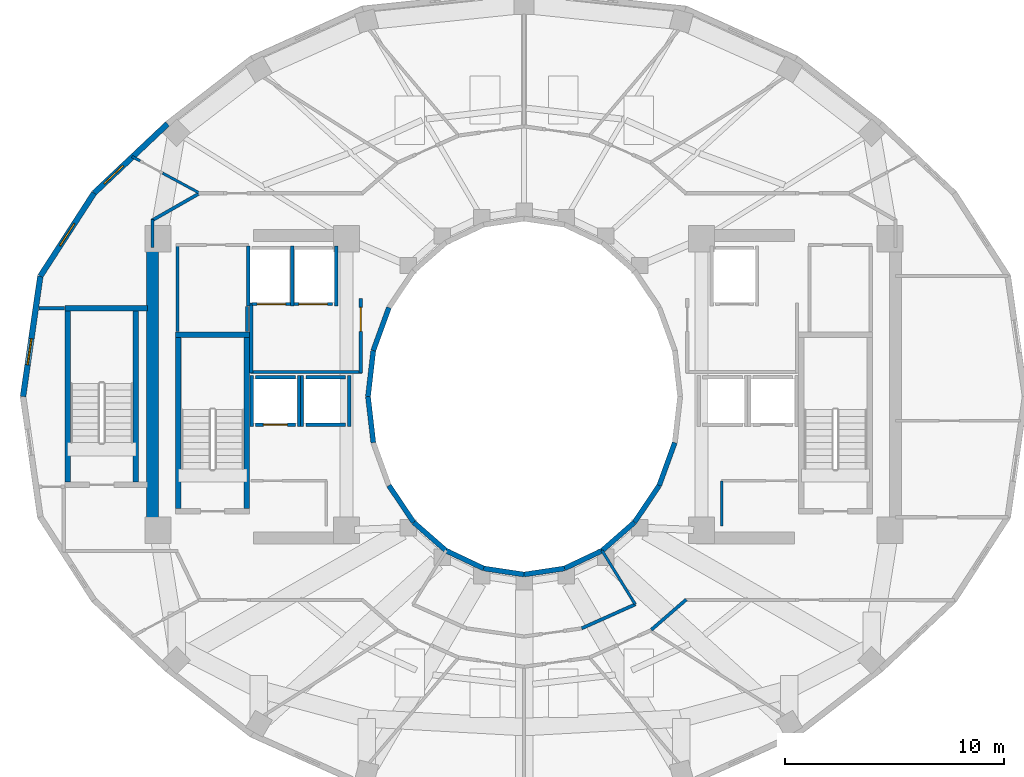
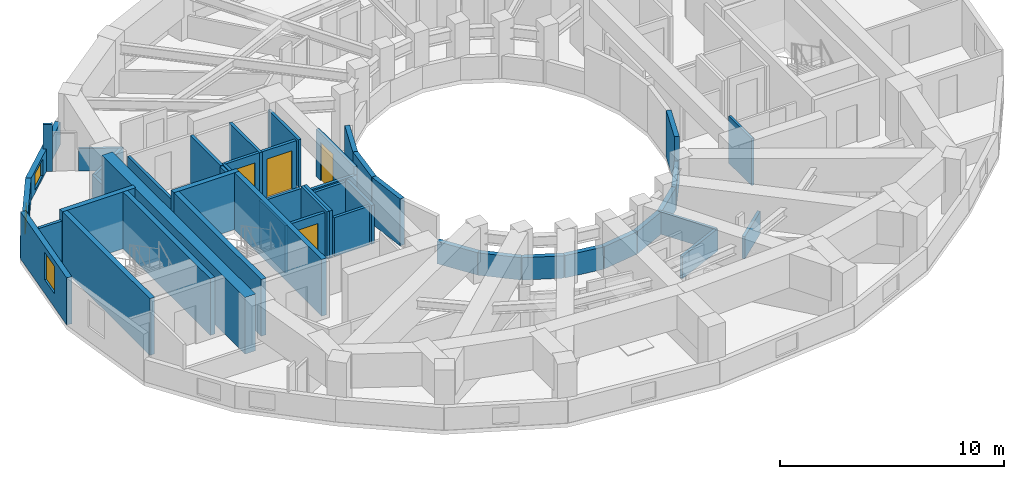
# One storey, part 4 of 9: 49 walls, 4 doors, 3 windows, 7 openings.
"""IFC4 building model written with IfcOpenShell, lengths in metres."""

from ifc_helpers import new_model, si_unit, direction, frame, frame_2d, origin, place, context, subcontext, project, spatial, rectangle, extrude, material, layer, layer_set, type_object, element, fill, save


model = new_model("IFC4")

# Units and contexts
model_context = context("Model", 3, precision=1e-05, world=origin(), true_north=direction((0.0, 1.0)))
body_context = subcontext(model_context, "Body", "Model", "MODEL_VIEW")
ifc_project = project(units=[si_unit("LENGTHUNIT", "METRE"), si_unit("AREAUNIT", "SQUARE_METRE"), si_unit("VOLUMEUNIT", "CUBIC_METRE"), si_unit("PLANEANGLEUNIT", "RADIAN"), si_unit("MASSUNIT", "GRAM", prefix="KILO")], contexts=[model_context])

# Site, building, storey
site_placement = place(None, origin())
site = spatial("IfcSite", under=ifc_project, at=site_placement, CompositionType="ELEMENT")
building_placement = place(site_placement, origin())
building = spatial("IfcBuilding", under=site, at=building_placement, Name="Solvane Sanctuary Tower", CompositionType="ELEMENT")
storey_placement = place(building_placement, frame((0.0, 0.0, 187.0)))
storey = spatial("IfcBuildingStorey", under=building, at=storey_placement, Name="L57", CompositionType="ELEMENT", Elevation=187.0)

# Walls
ifc_material_1 = material(Name="Concrete C50/60", Category="concrete")
ifc_layer_1 = layer(ifc_material_1, 0.550048828125, Name="Concrete C50/60")
ifc_layer_set_1 = layer_set([ifc_layer_1], Name="Concrete C50/60")
wall_type_1 = type_object("IfcWallType", Name="Wall W-CORE-550", PredefinedType="SHEAR", material=ifc_layer_set_1)
wall_1_placement = place(storey_placement, frame((15.050048828125, 17.050048828125, 0.0), z_axis=(0.0, 0.0, 1.0), x_axis=(0.0, 1.0, 0.0)))
element("IfcWall", 1, at=wall_1_placement, inside=storey, type_object=wall_type_1, Name="L57 Core Shear Wall WC-W", PredefinedType="SHEAR", context=body_context, shape_type="SweptSolid", body=[
    extrude(rectangle(XDim=12.800048828125, YDim=0.550048828125, at=frame_2d((6.39990234375, 0.0))), origin(), (0.0, 0.0, 1.0), 3.10009765625),
])
ifc_material_2 = material(Name="Acoustic Gypsum Partition Board")
ifc_layer_2 = layer(ifc_material_2, 0.14990234375, Name="Acoustic Gypsum Partition Board")
ifc_layer_set_2 = layer_set([ifc_layer_2], Name="Acoustic Gypsum Partition Board")
wall_type_2 = type_object("IfcWallType", Name="Wall W-CORR-150", PredefinedType="PARTITIONING", material=ifc_layer_set_2)
wall_2_placement = place(storey_placement, frame((19.52001953125, 24.1201171875, 0.0), z_axis=(0.0, 0.0, 1.0), x_axis=(1.0, 0.0, 0.0)))
element("IfcWall", 2, at=wall_2_placement, inside=storey, type_object=wall_type_2, Name="L57 West Firefighting Lobby South Wall", PredefinedType="PARTITIONING", context=body_context, shape_type="SweptSolid", body=[
    extrude(rectangle(XDim=5.080078125, YDim=0.14990234375, at=frame_2d((2.5400390625, 0.0))), origin(), (0.0, 0.0, 1.0), 2.1201171875),
])
wall_3_placement = place(storey_placement, frame((19.550048828125, 24.080078125, 0.0), z_axis=(0.0, 0.0, 1.0), x_axis=(0.0, 1.0, 0.0)))
element("IfcWall", 3, at=wall_3_placement, inside=storey, type_object=wall_type_2, Name="L57 West Firefighting Lobby West Wall", PredefinedType="PARTITIONING", context=body_context, shape_type="SweptSolid", body=[
    extrude(rectangle(XDim=3.199951171875, YDim=0.14990234375, at=frame_2d((1.60009765625, 0.0))), origin(), (0.0, 0.0, 1.0), 2.574951171875),
])

# Wall, opening, door
wall_4_placement = place(storey_placement, frame((24.550048828125, 24.080078125, 0.0), z_axis=(0.0, 0.0, 1.0), x_axis=(0.0, 1.0, 0.0)))
wall_4 = element("IfcWall", 4, at=wall_4_placement, inside=storey, type_object=wall_type_2, Name="L57 West Firefighting Lobby East Wall", PredefinedType="PARTITIONING", context=body_context, shape_type="SweptSolid", body=[
    extrude(rectangle(XDim=3.39990234375, YDim=0.14990234375, at=frame_2d((1.699951171875, 0.0))), origin(), (0.0, 0.0, 1.0), 2.574951171875),
])
opening_1_placement = place(wall_4_placement, frame((1.893798828125, 0.0, 0.0)))
opening_1 = element("IfcOpeningElement", 5, at=opening_1_placement, cuts=wall_4, Name="Opening D-L57-04", PredefinedType="OPENING", context=body_context, shape_type="SweptSolid", body=[
    extrude(rectangle(XDim=1.10009765625, YDim=2.10009765625, at=frame_2d((0.550048828125, 1.050048828125))), frame((0.0, 0.0849609375, 0.0), z_axis=(0.0, -1.0, 0.0), x_axis=(1.0, 0.0, 0.0)), (0.0, 0.0, 1.0), 0.169921875),
])
ifc_material_3 = material(Name="Architectural Stainless Steel 316", Category="steel")
door_type_1 = type_object("IfcDoorType", Name="Door D-FFL", OperationType="NOTDEFINED", PredefinedType="DOOR", material=ifc_material_3)
door_1_placement = place(opening_1_placement, origin())
door_1 = element("IfcDoor", 6, at=door_1_placement, inside=storey, type_object=door_type_1, Name="L57 West Firefighting Lobby Fire Door", OperationType="SINGLE_SWING_RIGHT", OverallHeight=2.10009765625, OverallWidth=1.10009765625, PredefinedType="DOOR", context=body_context, shape_type="SweptSolid", body=[
    extrude(rectangle(XDim=1.10009765625, YDim=2.10009765625, at=frame_2d((0.550048828125, 1.050048828125))), frame((0.0, 0.02490234375, 0.0), z_axis=(0.0, -1.0, 0.0), x_axis=(1.0, 0.0, 0.0)), (0.0, 0.0, 1.0), 0.050048828125),
])
fill(opening_1, door_1)

# Walls
wall_5_placement = place(storey_placement, frame((9.869873046875, 27.030029296875, 0.0), z_axis=(0.0, 0.0, 1.0), x_axis=(1.0, 0.0, 0.0)))
element("IfcWall", 7, at=wall_5_placement, inside=storey, type_object=wall_type_2, Name="L57 NW Corner Closer 1", PredefinedType="PARTITIONING", context=body_context, shape_type="SweptSolid", body=[
    extrude(rectangle(XDim=1.170166015625, YDim=0.14990234375, at=frame_2d((0.5849609375, 0.0))), origin(), (0.0, 0.0, 1.0), 2.574951171875),
])
wall_6_placement = place(storey_placement, frame((15.050048828125, 29.800048828125, 0.0), z_axis=(0.0, 0.0, 1.0), x_axis=(0.0, 1.0, 0.0)))
element("IfcWall", 8, at=wall_6_placement, inside=storey, type_object=wall_type_2, Name="L57 NW Corner Closer 2", PredefinedType="PARTITIONING", context=body_context, shape_type="SweptSolid", body=[
    extrude(rectangle(XDim=1.2900390625, YDim=0.14990234375, at=frame_2d((0.64501953125, 0.0))), origin(), (0.0, 0.0, 1.0), 1.219970703125),
])
wall_7_placement = place(storey_placement, frame((17.243408203125, 32.3046875, 0.0), z_axis=(0.0, 0.0, 1.0), x_axis=(-0.867991349648, -0.496579315857, 0.0)))
element("IfcWall", 9, at=wall_7_placement, inside=storey, type_object=wall_type_2, Name="L57 NW Corner Wing Wall", PredefinedType="PARTITIONING", context=body_context, shape_type="SweptSolid", body=[
    extrude(rectangle(XDim=2.56689453125, YDim=0.14990234375, at=frame_2d((1.283447265625, 0.0))), origin(), (0.0, 0.0, 1.0), 1.219970703125),
])
wall_8_placement = place(storey_placement, frame((37.806640625, 12.35791015625, 0.0), z_axis=(0.0, 0.0, 1.0), x_axis=(0.756055312247, 0.654507727092, 0.0)))
element("IfcWall", 10, at=wall_8_placement, inside=storey, type_object=wall_type_2, Name="L57 SE Corner Throat Wall", PredefinedType="PARTITIONING", context=body_context, shape_type="SweptSolid", body=[
    extrude(rectangle(XDim=2.11083984375, YDim=0.14990234375, at=frame_2d((1.055419921875, 0.0))), origin(), (0.0, 0.0, 1.0), 1.219970703125),
])
wall_9_placement = place(storey_placement, frame((34.625244140625, 12.422607421875, 0.0), z_axis=(0.0, 0.0, 1.0), x_axis=(0.912888568324, 0.408208845842, 0.0)))
element("IfcWall", 11, at=wall_9_placement, inside=storey, type_object=wall_type_2, Name="L57 Inner Light-Well Corridor Wall S1", PredefinedType="PARTITIONING", context=body_context, shape_type="SweptSolid", body=[
    extrude(rectangle(XDim=2.690185546875, YDim=0.14990234375, at=frame_2d((1.34521484375, 0.0))), origin(), (0.0, 0.0, 1.0), 1.219970703125),
])

# Wall, opening, window
ifc_material_4 = material(Name="Precast concrete C40/50", Category="concrete")
ifc_layer_3 = layer(ifc_material_4, 0.260009765625, Name="Precast concrete C40/50")
ifc_layer_set_3 = layer_set([ifc_layer_3], Name="Precast concrete C40/50")
wall_type_3 = type_object("IfcWallType", Name="Wall W-EXT-250", PredefinedType="STANDARD", material=ifc_layer_set_3)
wall_10_placement = place(storey_placement, frame((15.730712890625, 35.44140625, 0.0), z_axis=(0.0, 0.0, 1.0), x_axis=(-0.727667301037, -0.68593024354, 0.0)))
wall_10 = element("IfcWall", 12, at=wall_10_placement, inside=storey, type_object=wall_type_3, Name="L57 Ceramic-Printed Facade Wall 09", PredefinedType="STANDARD", context=body_context, shape_type="SweptSolid", body=[
    extrude(rectangle(XDim=4.603515625, YDim=0.260009765625, at=frame_2d((2.3017578125, 0.0))), origin(), (0.0, 0.0, 1.0), 1.219970703125),
])
opening_2_placement = place(wall_10_placement, frame((2.772216796875, 0.0, 0.14990234375)))
opening_2 = element("IfcOpeningElement", 13, at=opening_2_placement, cuts=wall_10, Name="Opening WN-OPER-1200", PredefinedType="OPENING", context=body_context, shape_type="SweptSolid", body=[
    extrude(rectangle(XDim=1.199951171875, YDim=0.89990234375, at=frame_2d((0.60009765625, 0.449951171875))), frame((0.0, 0.139892578125, 0.0), z_axis=(0.0, -1.0, 0.0), x_axis=(1.0, 0.0, 0.0)), (0.0, 0.0, 1.0), 0.280029296875),
])
ifc_material_5 = material(Name="Dark Ceramic-Fritted Low-E Glass", Category="glass")
window_type = type_object("IfcWindowType", Name="Window WN-OPER-1200", PartitioningType="SINGLE_PANEL", PredefinedType="WINDOW", material=ifc_material_5)
window_1_placement = place(opening_2_placement, origin())
window_1 = element("IfcWindow", 14, at=window_1_placement, inside=storey, type_object=window_type, Name="L57 Operable Facade Window 09", OverallHeight=0.89990234375, OverallWidth=1.199951171875, PartitioningType="SINGLE_PANEL", PredefinedType="WINDOW", context=body_context, shape_type="SweptSolid", body=[
    extrude(rectangle(XDim=1.199951171875, YDim=0.89990234375, at=frame_2d((0.60009765625, 0.449951171875))), frame((0.0, 0.030029296875, 0.0), z_axis=(0.0, -1.0, 0.0), x_axis=(1.0, 0.0, 0.0)), (0.0, 0.0, 1.0), 0.06005859375),
])
fill(opening_2, window_1)

wall_11_placement = place(storey_placement, frame((12.380859375, 32.28369140625, 0.0), z_axis=(0.0, 0.0, 1.0), x_axis=(-0.543358984534, -0.839500454989, 0.0)))
wall_11 = element("IfcWall", 15, at=wall_11_placement, inside=storey, type_object=wall_type_3, Name="L57 Ceramic-Printed Facade Wall 10", PredefinedType="STANDARD", context=body_context, shape_type="SweptSolid", body=[
    extrude(rectangle(XDim=4.51123046875, YDim=0.260009765625, at=frame_2d((2.255615234375, 0.0))), origin(), (0.0, 0.0, 1.0), 1.219970703125),
])
opening_3_placement = place(wall_11_placement, frame((1.655517578125, 0.0, 0.14990234375)))
opening_3 = element("IfcOpeningElement", 16, at=opening_3_placement, cuts=wall_11, Name="Opening WN-OPER-1200", PredefinedType="OPENING", context=body_context, shape_type="SweptSolid", body=[
    extrude(rectangle(XDim=1.199951171875, YDim=0.89990234375, at=frame_2d((0.60009765625, 0.449951171875))), frame((0.0, 0.139892578125, 0.0), z_axis=(0.0, -1.0, 0.0), x_axis=(1.0, 0.0, 0.0)), (0.0, 0.0, 1.0), 0.280029296875),
])
window_2_placement = place(opening_3_placement, origin())
window_2 = element("IfcWindow", 17, at=window_2_placement, inside=storey, type_object=window_type, Name="L57 Operable Facade Window 10", OverallHeight=0.89990234375, OverallWidth=1.199951171875, PartitioningType="SINGLE_PANEL", PredefinedType="WINDOW", context=body_context, shape_type="SweptSolid", body=[
    extrude(rectangle(XDim=1.199951171875, YDim=0.89990234375, at=frame_2d((0.60009765625, 0.449951171875))), frame((0.0, 0.030029296875, 0.0), z_axis=(0.0, -1.0, 0.0), x_axis=(1.0, 0.0, 0.0)), (0.0, 0.0, 1.0), 0.06005859375),
])
fill(opening_3, window_2)

wall_12_placement = place(storey_placement, frame((9.9296875, 28.49658203125, 0.0), z_axis=(0.0, 0.0, 1.0), x_axis=(-0.142227632286, -0.989833976288, 0.0)))
wall_12 = element("IfcWall", 18, at=wall_12_placement, inside=storey, type_object=wall_type_3, Name="L57 Ceramic-Printed Facade Wall 11", PredefinedType="STANDARD", context=body_context, shape_type="SweptSolid", body=[
    extrude(rectangle(XDim=5.552978515625, YDim=0.260009765625, at=frame_2d((2.7763671875, 0.0))), origin(), (0.0, 0.0, 1.0), 2.570068359375),
])
opening_4_placement = place(wall_12_placement, frame((2.892333984375, 0.0, 0.75)))
opening_4 = element("IfcOpeningElement", 19, at=opening_4_placement, cuts=wall_12, Name="Opening WN-OPER-1200", PredefinedType="OPENING", context=body_context, shape_type="SweptSolid", body=[
    extrude(rectangle(XDim=1.199951171875, YDim=1.5, at=frame_2d((0.60009765625, 0.75))), frame((0.0, 0.139892578125, 0.0), z_axis=(0.0, -1.0, 0.0), x_axis=(1.0, 0.0, 0.0)), (0.0, 0.0, 1.0), 0.280029296875),
])
window_3_placement = place(opening_4_placement, origin())
window_3 = element("IfcWindow", 20, at=window_3_placement, inside=storey, type_object=window_type, Name="L57 Operable Facade Window 11", OverallHeight=1.5, OverallWidth=1.199951171875, PartitioningType="SINGLE_PANEL", PredefinedType="WINDOW", context=body_context, shape_type="SweptSolid", body=[
    extrude(rectangle(XDim=1.199951171875, YDim=1.5, at=frame_2d((0.60009765625, 0.75))), frame((0.0, 0.030029296875, 0.0), z_axis=(0.0, -1.0, 0.0), x_axis=(1.0, 0.0, 0.0)), (0.0, 0.0, 1.0), 0.06005859375),
])
fill(opening_4, window_3)

# Walls
ifc_layer_4 = layer(ifc_material_4, 0.22998046875, Name="Precast concrete C40/50")
ifc_layer_set_4 = layer_set([ifc_layer_4], Name="Precast concrete C40/50")
wall_type_4 = type_object("IfcWallType", Name="Wall W-EXT-SP220", PredefinedType="STANDARD", material=ifc_layer_set_4)
wall_13_placement = place(storey_placement, frame((25.833984375, 27.06005859375, 0.0), z_axis=(0.0, 0.0, 1.0), x_axis=(-0.341423187295, -0.93990968033, 0.0)))
element("IfcWall", 21, at=wall_13_placement, inside=storey, type_object=wall_type_4, Name="L57 Central Light-Well Wall 10", PredefinedType="STANDARD", context=body_context, shape_type="SweptSolid", body=[
    extrude(rectangle(XDim=2.083740234375, YDim=0.22998046875, at=frame_2d((1.0419921875, 0.0))), origin(), (0.0, 0.0, 1.0), 2.56005859375),
])
for number, where, z_axis, x_axis, name in (
    (22, (25.12255859375, 25.1015625, 0.0), (0.0, 0.0, 1.0), (-0.114711713601, -0.993398823617, 0.0), "L57 Central Light-Well Wall 11"),
    (23, (24.8798828125, 23.0, 0.0), (0.0, 0.0, 1.0), (0.114711713601, -0.993398823617, 0.0), "L57 Central Light-Well Wall 12"),
):
    element("IfcWall", number, at=place(storey_placement, frame(where, z_axis=z_axis, x_axis=x_axis)), inside=storey, type_object=wall_type_4, Name=name, PredefinedType="STANDARD", context=body_context, shape_type="SweptSolid", body=[
        extrude(rectangle(XDim=2.115478515625, YDim=0.22998046875, at=frame_2d((1.0576171875, 0.0))), origin(), (0.0, 0.0, 1.0), 2.56005859375),
    ])
wall_14_placement = place(storey_placement, frame((25.833984375, 18.93994140625, 0.0), z_axis=(0.0, 0.0, 1.0), x_axis=(0.558197800898, -0.829707909492, 0.0)))
element("IfcWall", 24, at=wall_14_placement, inside=storey, type_object=wall_type_4, Name="L57 Central Light-Well Wall 14", PredefinedType="STANDARD", context=body_context, shape_type="SweptSolid", body=[
    extrude(rectangle(XDim=2.02685546875, YDim=0.22998046875, at=frame_2d((1.013427734375, 0.0))), origin(), (0.0, 0.0, 1.0), 1.219970703125),
])
wall_15_placement = place(storey_placement, frame((26.96533203125, 17.25830078125, 0.0), z_axis=(0.0, 0.0, 1.0), x_axis=(0.752576694707, -0.658504607869, 0.0)))
element("IfcWall", 25, at=wall_15_placement, inside=storey, type_object=wall_type_4, Name="L57 Central Light-Well Wall 15", PredefinedType="STANDARD", context=body_context, shape_type="SweptSolid", body=[
    extrude(rectangle(XDim=1.95947265625, YDim=0.22998046875, at=frame_2d((0.979736328125, 0.0))), origin(), (0.0, 0.0, 1.0), 1.219970703125),
])
wall_16_placement = place(storey_placement, frame((28.43994140625, 15.968017578125, 0.0), z_axis=(0.0, 0.0, 1.0), x_axis=(0.904179699603, -0.427152280606, 0.0)))
element("IfcWall", 26, at=wall_16_placement, inside=storey, type_object=wall_type_4, Name="L57 Central Light-Well Wall 16", PredefinedType="STANDARD", context=body_context, shape_type="SweptSolid", body=[
    extrude(rectangle(XDim=1.899169921875, YDim=0.22998046875, at=frame_2d((0.94970703125, 0.0))), origin(), (0.0, 0.0, 1.0), 1.219970703125),
])
for number, where, z_axis, x_axis, name in (
    (27, (30.1572265625, 15.15673828125, 0.0), (0.0, 0.0, 1.0), (0.988901730308, -0.148571086668, 0.0), "L57 Central Light-Well Wall 17"),
    (28, (32.0, 14.8798828125, 0.0), (0.0, 0.0, 1.0), (0.988901730308, 0.148571086668, 0.0), "L57 Central Light-Well Wall 18"),
):
    element("IfcWall", number, at=place(storey_placement, frame(where, z_axis=z_axis, x_axis=x_axis)), inside=storey, type_object=wall_type_4, Name=name, PredefinedType="STANDARD", context=body_context, shape_type="SweptSolid", body=[
        extrude(rectangle(XDim=1.863525390625, YDim=0.22998046875, at=frame_2d((0.931640625, 0.0))), origin(), (0.0, 0.0, 1.0), 1.219970703125),
    ])
wall_17_placement = place(storey_placement, frame((33.8427734375, 15.15673828125, 0.0), z_axis=(0.0, 0.0, 1.0), x_axis=(0.904179699603, 0.427152280606, 0.0)))
element("IfcWall", 29, at=wall_17_placement, inside=storey, type_object=wall_type_4, Name="L57 Central Light-Well Wall 19", PredefinedType="STANDARD", context=body_context, shape_type="SweptSolid", body=[
    extrude(rectangle(XDim=1.899169921875, YDim=0.22998046875, at=frame_2d((0.94970703125, 0.0))), origin(), (0.0, 0.0, 1.0), 1.219970703125),
])
wall_18_placement = place(storey_placement, frame((35.56005859375, 15.968017578125, 0.0), z_axis=(0.0, 0.0, 1.0), x_axis=(0.752576694707, 0.658504607869, 0.0)))
element("IfcWall", 30, at=wall_18_placement, inside=storey, type_object=wall_type_4, Name="L57 Central Light-Well Wall 20", PredefinedType="STANDARD", context=body_context, shape_type="SweptSolid", body=[
    extrude(rectangle(XDim=1.95947265625, YDim=0.22998046875, at=frame_2d((0.979736328125, 0.0))), origin(), (0.0, 0.0, 1.0), 1.219970703125),
])
wall_19_placement = place(storey_placement, frame((37.03466796875, 17.25830078125, 0.0), z_axis=(0.0, 0.0, 1.0), x_axis=(0.558197800898, 0.829707909492, 0.0)))
element("IfcWall", 31, at=wall_19_placement, inside=storey, type_object=wall_type_4, Name="L57 Central Light-Well Wall 21", PredefinedType="STANDARD", context=body_context, shape_type="SweptSolid", body=[
    extrude(rectangle(XDim=2.02685546875, YDim=0.22998046875, at=frame_2d((1.013427734375, 0.0))), origin(), (0.0, 0.0, 1.0), 1.219970703125),
])
wall_20_placement = place(storey_placement, frame((38.166015625, 18.93994140625, 0.0), z_axis=(0.0, 0.0, 1.0), x_axis=(0.341423187295, 0.93990968033, 0.0)))
element("IfcWall", 32, at=wall_20_placement, inside=storey, type_object=wall_type_4, Name="L57 Central Light-Well Wall 22", PredefinedType="STANDARD", context=body_context, shape_type="SweptSolid", body=[
    extrude(rectangle(XDim=2.083740234375, YDim=0.22998046875, at=frame_2d((1.0419921875, 0.0))), origin(), (0.0, 0.0, 1.0), 2.56005859375),
])
ifc_layer_5 = layer(ifc_material_2, 0.1201171875, Name="Acoustic Gypsum Partition Board")
ifc_layer_set_5 = layer_set([ifc_layer_5], Name="Acoustic Gypsum Partition Board")
wall_type_5 = type_object("IfcWallType", Name="Wall W-MOV-100", PredefinedType="MOVABLE", material=ifc_layer_set_5)
wall_21_placement = place(storey_placement, frame((17.243896484375, 32.256103515625, 0.0), z_axis=(0.0, 0.0, 1.0), x_axis=(-0.879406539295, 0.476071568828, 0.0)))
element("IfcWall", 33, at=wall_21_placement, inside=storey, type_object=wall_type_5, Name="L57 NW Corner Suite Partition", PredefinedType="MOVABLE", context=body_context, shape_type="SweptSolid", body=[
    extrude(rectangle(XDim=1.97021484375, YDim=0.1201171875, at=frame_2d((0.985107421875, 0.0))), origin(), (0.0, 0.0, 1.0), 1.219970703125),
])
wall_22_placement = place(storey_placement, frame((14.482421875, 33.751220703125, 0.0), z_axis=(0.0, 0.0, 1.0), x_axis=(-0.879403655312, 0.476076896125, 0.0)))
element("IfcWall", 34, at=wall_22_placement, inside=storey, type_object=wall_type_5, Name="L57 NW Corner Suite Partition", PredefinedType="MOVABLE", context=body_context, shape_type="SweptSolid", body=[
    extrude(rectangle(XDim=0.41943359375, YDim=0.1201171875, at=frame_2d((0.209716796875, 0.0))), origin(), (0.0, 0.0, 1.0), 2.574951171875),
])
ifc_layer_6 = layer(ifc_material_2, 0.125, Name="Acoustic Gypsum Partition Board")
ifc_layer_set_6 = layer_set([ifc_layer_6], Name="Acoustic Gypsum Partition Board")
wall_type_6 = type_object("IfcWallType", Name="Wall W-PART-125", PredefinedType="PARTITIONING", material=ifc_layer_set_6)
wall_23_placement = place(storey_placement, frame((41.02001953125, 17.10009765625, 0.0), z_axis=(0.0, 0.0, 1.0), x_axis=(0.0, 1.0, 0.0)))
element("IfcWall", 35, at=wall_23_placement, inside=storey, type_object=wall_type_6, Name="L57 Reclaimed Room Closer Wall PLE-1", PredefinedType="PARTITIONING", context=body_context, shape_type="SweptSolid", body=[
    extrude(rectangle(XDim=2.039794921875, YDim=0.125, at=frame_2d((1.02001953125, 0.0))), origin(), (0.0, 0.0, 1.0), 2.574951171875),
])
wall_24_placement = place(storey_placement, frame((35.550048828125, 15.985107421875, 0.0), z_axis=(0.0, 0.0, 1.0), x_axis=(0.525627246902, -0.850714991824, 0.0)))
element("IfcWall", 36, at=wall_24_placement, inside=storey, type_object=wall_type_6, Name="L57 Inner Light-Well Radial Wall 300", PredefinedType="PARTITIONING", context=body_context, shape_type="SweptSolid", body=[
    extrude(rectangle(XDim=2.901123046875, YDim=0.125, at=frame_2d((1.45068359375, 0.0))), origin(), (0.0, 0.0, 1.0), 1.219970703125),
])

# Wall, opening, door
ifc_layer_7 = layer(ifc_material_1, 0.14990234375, Name="Concrete C50/60")
ifc_layer_set_7 = layer_set([ifc_layer_7], Name="Concrete C50/60")
wall_type_7 = type_object("IfcWallType", Name="Wall W-SHAFT-150", PredefinedType="SOLIDWALL", material=ifc_layer_set_7)
wall_25_placement = place(storey_placement, frame((19.739990234375, 21.719970703125, 0.0), z_axis=(0.0, 0.0, 1.0), x_axis=(1.0, 0.0, 0.0)))
wall_25 = element("IfcWall", 37, at=wall_25_placement, inside=storey, type_object=wall_type_7, Name="L57 PM-1 Lift Shaft Wall F", PredefinedType="SOLIDWALL", context=body_context, shape_type="SweptSolid", body=[
    extrude(rectangle(XDim=1.820068359375, YDim=0.14990234375, at=frame_2d((0.91015625, 0.0))), origin(), (0.0, 0.0, 1.0), 2.574951171875),
])
opening_5_placement = place(wall_25_placement, frame((0.360107421875, 0.0, 0.0)))
opening_5 = element("IfcOpeningElement", 38, at=opening_5_placement, cuts=wall_25, Name="Opening LD-L57-01", PredefinedType="OPENING", context=body_context, shape_type="SweptSolid", body=[
    extrude(rectangle(XDim=1.10009765625, YDim=2.10009765625, at=frame_2d((0.550048828125, 1.050048828125))), frame((0.0, 0.0849609375, 0.0), z_axis=(0.0, -1.0, 0.0), x_axis=(1.0, 0.0, 0.0)), (0.0, 0.0, 1.0), 0.169921875),
])
door_type_2 = type_object("IfcDoorType", Name="Door LD-PASS-1100", OperationType="NOTDEFINED", PredefinedType="DOOR", material=ifc_material_3)
door_2_placement = place(opening_5_placement, origin())
door_2 = element("IfcDoor", 39, at=door_2_placement, inside=storey, type_object=door_type_2, Name="L57 PM-1 Lift Landing Door", OperationType="DOUBLE_DOOR_SLIDING", OverallHeight=2.10009765625, OverallWidth=1.10009765625, PredefinedType="DOOR", context=body_context, shape_type="SweptSolid", body=[
    extrude(rectangle(XDim=1.10009765625, YDim=2.10009765625, at=frame_2d((0.550048828125, 1.050048828125))), frame((0.0, 0.02490234375, 0.0), z_axis=(0.0, -1.0, 0.0), x_axis=(1.0, 0.0, 0.0)), (0.0, 0.0, 1.0), 0.050048828125),
])
fill(opening_5, door_2)

# Walls
wall_26_placement = place(storey_placement, frame((19.739990234375, 23.8798828125, 0.0), z_axis=(0.0, 0.0, 1.0), x_axis=(1.0, 0.0, 0.0)))
element("IfcWall", 40, at=wall_26_placement, inside=storey, type_object=wall_type_7, Name="L57 PM-1 Lift Shaft Wall B", PredefinedType="SOLIDWALL", context=body_context, shape_type="SweptSolid", body=[
    extrude(rectangle(XDim=1.820068359375, YDim=0.14990234375, at=frame_2d((0.91015625, 0.0))), origin(), (0.0, 0.0, 1.0), 2.574951171875),
])
for number, where, z_axis, x_axis, name in (
    (41, (19.570068359375, 21.639892578125, 0.0), (0.0, 0.0, 1.0), (0.0, 1.0, 0.0), "L57 PM-1 Lift Shaft Wall S1"),
    (42, (21.72998046875, 21.639892578125, 0.0), (0.0, 0.0, 1.0), (0.0, 1.0, 0.0), "L57 PM-1 Lift Shaft Wall S2"),
):
    element("IfcWall", number, at=place(storey_placement, frame(where, z_axis=z_axis, x_axis=x_axis)), inside=storey, type_object=wall_type_7, Name=name, PredefinedType="SOLIDWALL", context=body_context, shape_type="SweptSolid", body=[
        extrude(rectangle(XDim=2.320068359375, YDim=0.14990234375, at=frame_2d((1.16015625, 0.0))), origin(), (0.0, 0.0, 1.0), 2.574951171875),
    ])
for number, where, z_axis, x_axis, name in (
    (43, (22.0400390625, 21.719970703125, 0.0), (0.0, 0.0, 1.0), (1.0, 0.0, 0.0), "L57 PH-1 Lift Shaft Wall F"),
    (44, (22.0400390625, 23.8798828125, 0.0), (0.0, 0.0, 1.0), (1.0, 0.0, 0.0), "L57 PH-1 Lift Shaft Wall B"),
):
    element("IfcWall", number, at=place(storey_placement, frame(where, z_axis=z_axis, x_axis=x_axis)), inside=storey, type_object=wall_type_7, Name=name, PredefinedType="SOLIDWALL", context=body_context, shape_type="SweptSolid", body=[
        extrude(rectangle(XDim=1.820068359375, YDim=0.14990234375, at=frame_2d((0.91015625, 0.0))), origin(), (0.0, 0.0, 1.0), 2.1201171875),
    ])
wall_27_placement = place(storey_placement, frame((21.8701171875, 21.639892578125, 0.0), z_axis=(0.0, 0.0, 1.0), x_axis=(0.0, 1.0, 0.0)))
element("IfcWall", 45, at=wall_27_placement, inside=storey, type_object=wall_type_7, Name="L57 PH-1 Lift Shaft Wall S1", PredefinedType="SOLIDWALL", context=body_context, shape_type="SweptSolid", body=[
    extrude(rectangle(XDim=2.320068359375, YDim=0.14990234375, at=frame_2d((1.16015625, 0.0))), origin(), (0.0, 0.0, 1.0), 2.574951171875),
])
wall_28_placement = place(storey_placement, frame((24.030029296875, 21.639892578125, 0.0), z_axis=(0.0, 0.0, 1.0), x_axis=(0.0, 1.0, 0.0)))
element("IfcWall", 46, at=wall_28_placement, inside=storey, type_object=wall_type_7, Name="L57 PH-1 Lift Shaft Wall S2", PredefinedType="SOLIDWALL", context=body_context, shape_type="SweptSolid", body=[
    extrude(rectangle(XDim=2.320068359375, YDim=0.14990234375, at=frame_2d((1.16015625, 0.0))), origin(), (0.0, 0.0, 1.0), 2.1201171875),
])

# Wall, opening, door
wall_29_placement = place(storey_placement, frame((19.590087890625, 27.219970703125, 0.0), z_axis=(0.0, 0.0, 1.0), x_axis=(1.0, 0.0, 0.0)))
wall_29 = element("IfcWall", 47, at=wall_29_placement, inside=storey, type_object=wall_type_7, Name="L57 FFL-1 Lift Shaft Wall F", PredefinedType="SOLIDWALL", context=body_context, shape_type="SweptSolid", body=[
    extrude(rectangle(XDim=1.760009765625, YDim=0.14990234375, at=frame_2d((0.8798828125, 0.0))), origin(), (0.0, 0.0, 1.0), 2.574951171875),
])
opening_6_placement = place(wall_29_placement, frame((0.22998046875, 0.0, 0.0)))
opening_6 = element("IfcOpeningElement", 48, at=opening_6_placement, cuts=wall_29, Name="Opening LD-L57-03", PredefinedType="OPENING", context=body_context, shape_type="SweptSolid", body=[
    extrude(rectangle(XDim=1.300048828125, YDim=2.10009765625, at=frame_2d((0.64990234375, 1.050048828125))), frame((0.0, 0.0849609375, 0.0), z_axis=(0.0, -1.0, 0.0), x_axis=(1.0, 0.0, 0.0)), (0.0, 0.0, 1.0), 0.169921875),
])
door_type_3 = type_object("IfcDoorType", Name="Door LD-FFL-1300", OperationType="NOTDEFINED", PredefinedType="DOOR", material=ifc_material_3)
door_3_placement = place(opening_6_placement, origin())
door_3 = element("IfcDoor", 49, at=door_3_placement, inside=storey, type_object=door_type_3, Name="L57 FFL-1 Lift Landing Door", OperationType="DOUBLE_DOOR_SLIDING", OverallHeight=2.10009765625, OverallWidth=1.300048828125, PredefinedType="DOOR", context=body_context, shape_type="SweptSolid", body=[
    extrude(rectangle(XDim=1.300048828125, YDim=2.10009765625, at=frame_2d((0.64990234375, 1.050048828125))), frame((0.0, 0.02490234375, 0.0), z_axis=(0.0, -1.0, 0.0), x_axis=(1.0, 0.0, 0.0)), (0.0, 0.0, 1.0), 0.050048828125),
])
fill(opening_6, door_3)

# Walls
for number, where, z_axis, x_axis, name in (
    (50, (19.419921875, 27.139892578125, 0.0), (0.0, 0.0, 1.0), (0.0, 1.0, 0.0), "L57 FFL-1 Lift Shaft Wall S1"),
    (51, (21.425048828125, 27.139892578125, 0.0), (0.0, 0.0, 1.0), (0.0, 1.0, 0.0), "L57 FFL-1 Lift Shaft Wall S2"),
):
    element("IfcWall", number, at=place(storey_placement, frame(where, z_axis=z_axis, x_axis=x_axis)), inside=storey, type_object=wall_type_7, Name=name, PredefinedType="SOLIDWALL", context=body_context, shape_type="SweptSolid", body=[
        extrude(rectangle(XDim=2.72021484375, YDim=0.14990234375, at=frame_2d((1.360107421875, 0.0))), origin(), (0.0, 0.0, 1.0), 2.574951171875),
    ])

# Wall, opening, door
wall_30_placement = place(storey_placement, frame((21.5, 27.219970703125, 0.0), z_axis=(0.0, 0.0, 1.0), x_axis=(1.0, 0.0, 0.0)))
wall_30 = element("IfcWall", 52, at=wall_30_placement, inside=storey, type_object=wall_type_7, Name="L57 SVL-1 Lift Shaft Wall F", PredefinedType="SOLIDWALL", context=body_context, shape_type="SweptSolid", body=[
    extrude(rectangle(XDim=1.760009765625, YDim=0.14990234375, at=frame_2d((0.8798828125, 0.0))), origin(), (0.0, 0.0, 1.0), 2.574951171875),
])
opening_7_placement = place(wall_30_placement, frame((0.22998046875, 0.0, 0.0)))
opening_7 = element("IfcOpeningElement", 53, at=opening_7_placement, cuts=wall_30, Name="Opening LD-L57-04", PredefinedType="OPENING", context=body_context, shape_type="SweptSolid", body=[
    extrude(rectangle(XDim=1.300048828125, YDim=2.10009765625, at=frame_2d((0.64990234375, 1.050048828125))), frame((0.0, 0.0849609375, 0.0), z_axis=(0.0, -1.0, 0.0), x_axis=(1.0, 0.0, 0.0)), (0.0, 0.0, 1.0), 0.169921875),
])
door_4_placement = place(opening_7_placement, origin())
door_4 = element("IfcDoor", 54, at=door_4_placement, inside=storey, type_object=door_type_3, Name="L57 SVL-1 Lift Landing Door", OperationType="DOUBLE_DOOR_SLIDING", OverallHeight=2.10009765625, OverallWidth=1.300048828125, PredefinedType="DOOR", context=body_context, shape_type="SweptSolid", body=[
    extrude(rectangle(XDim=1.300048828125, YDim=2.10009765625, at=frame_2d((0.64990234375, 1.050048828125))), frame((0.0, 0.02490234375, 0.0), z_axis=(0.0, -1.0, 0.0), x_axis=(1.0, 0.0, 0.0)), (0.0, 0.0, 1.0), 0.050048828125),
])
fill(opening_7, door_4)

# Walls
wall_31_placement = place(storey_placement, frame((23.429931640625, 27.139892578125, 0.0), z_axis=(0.0, 0.0, 1.0), x_axis=(0.0, 1.0, 0.0)))
element("IfcWall", 55, at=wall_31_placement, inside=storey, type_object=wall_type_7, Name="L57 SVL-1 Lift Shaft Wall S2", PredefinedType="SOLIDWALL", context=body_context, shape_type="SweptSolid", body=[
    extrude(rectangle(XDim=2.72021484375, YDim=0.14990234375, at=frame_2d((1.360107421875, 0.0))), origin(), (0.0, 0.0, 1.0), 2.574951171875),
])
ifc_layer_8 = layer(ifc_material_1, 0.25, Name="Concrete C50/60")
ifc_layer_set_8 = layer_set([ifc_layer_8], Name="Concrete C50/60")
wall_type_8 = type_object("IfcWallType", Name="Wall W-SHAFT-250", PredefinedType="SOLIDWALL", material=ifc_layer_set_8)
wall_32_placement = place(storey_placement, frame((16.10498046875, 25.830078125, 0.0), z_axis=(0.0, 0.0, 1.0), x_axis=(1.0, 0.0, 0.0)))
element("IfcWall", 56, at=wall_32_placement, inside=storey, type_object=wall_type_8, Name="L57 ST-1 Load-Bearing Shaft Wall N", PredefinedType="SOLIDWALL", context=body_context, shape_type="SweptSolid", body=[
    extrude(rectangle(XDim=3.3701171875, YDim=0.25, at=frame_2d((1.68505859375, 0.0))), origin(), (0.0, 0.0, 1.0), 3.10009765625),
])
for number, where, z_axis, x_axis, name in (
    (57, (16.22998046875, 17.89501953125, 0.0), (0.0, 0.0, 1.0), (0.0, 1.0, 0.0), "L57 ST-1 Load-Bearing Shaft Wall W"),
    (58, (19.35009765625, 17.89501953125, 0.0), (0.0, 0.0, 1.0), (0.0, 1.0, 0.0), "L57 ST-1 Load-Bearing Shaft Wall E"),
):
    element("IfcWall", number, at=place(storey_placement, frame(where, z_axis=z_axis, x_axis=x_axis)), inside=storey, type_object=wall_type_8, Name=name, PredefinedType="SOLIDWALL", context=body_context, shape_type="SweptSolid", body=[
        extrude(rectangle(XDim=7.81005859375, YDim=0.25, at=frame_2d((3.905029296875, 0.0))), origin(), (0.0, 0.0, 1.0), 3.10009765625),
    ])
wall_33_placement = place(storey_placement, frame((11.044921875, 27.030029296875, 0.0), z_axis=(0.0, 0.0, 1.0), x_axis=(1.0, 0.0, 0.0)))
element("IfcWall", 59, at=wall_33_placement, inside=storey, type_object=wall_type_8, Name="L57 ST-3 Load-Bearing Shaft Wall N", PredefinedType="SOLIDWALL", context=body_context, shape_type="SweptSolid", body=[
    extrude(rectangle(XDim=3.781982421875, YDim=0.25, at=frame_2d((1.89111328125, 0.0))), origin(), (0.0, 0.0, 1.0), 3.10009765625),
])
for number, where, z_axis, x_axis, name in (
    (60, (11.169921875, 19.094970703125, 0.0), (0.0, 0.0, 1.0), (0.0, 1.0, 0.0), "L57 ST-3 Load-Bearing Shaft Wall W"),
    (61, (14.2900390625, 19.094970703125, 0.0), (0.0, 0.0, 1.0), (0.0, 1.0, 0.0), "L57 ST-3 Load-Bearing Shaft Wall E"),
):
    element("IfcWall", number, at=place(storey_placement, frame(where, z_axis=z_axis, x_axis=x_axis)), inside=storey, type_object=wall_type_8, Name=name, PredefinedType="SOLIDWALL", context=body_context, shape_type="SweptSolid", body=[
        extrude(rectangle(XDim=7.81005859375, YDim=0.25, at=frame_2d((3.905029296875, 0.0))), origin(), (0.0, 0.0, 1.0), 3.10009765625),
    ])
ifc_layer_9 = layer(ifc_material_2, 0.139892578125, Name="Acoustic Gypsum Partition Board")
ifc_layer_set_9 = layer_set([ifc_layer_9], Name="Acoustic Gypsum Partition Board")
wall_type_9 = type_object("IfcWallType", Name="Wall W-WET-140", PredefinedType="PLUMBINGWALL", material=ifc_layer_set_9)
wall_34_placement = place(storey_placement, frame((16.179931640625, 25.97998046875, 0.0), z_axis=(0.0, 0.0, 1.0), x_axis=(0.0, 1.0, 0.0)))
element("IfcWall", 62, at=wall_34_placement, inside=storey, type_object=wall_type_9, Name="L57 Core Service Side Wall KW0-1", PredefinedType="PLUMBINGWALL", context=body_context, shape_type="SweptSolid", body=[
    extrude(rectangle(XDim=3.880126953125, YDim=0.139892578125, at=frame_2d((1.93994140625, 0.0))), origin(), (0.0, 0.0, 1.0), 2.574951171875),
])
wall_35_placement = place(storey_placement, frame((19.360107421875, 25.97998046875, 0.0), z_axis=(0.0, 0.0, 1.0), x_axis=(0.0, 1.0, 0.0)))
element("IfcWall", 63, at=wall_35_placement, inside=storey, type_object=wall_type_9, Name="L57 Core Service Side Wall KW0-2", PredefinedType="PLUMBINGWALL", context=body_context, shape_type="SweptSolid", body=[
    extrude(rectangle(XDim=1.1201171875, YDim=0.139892578125, at=frame_2d((0.56005859375, 0.0))), origin(), (0.0, 0.0, 1.0), 2.574951171875),
])

save(model, "model.ifc")
